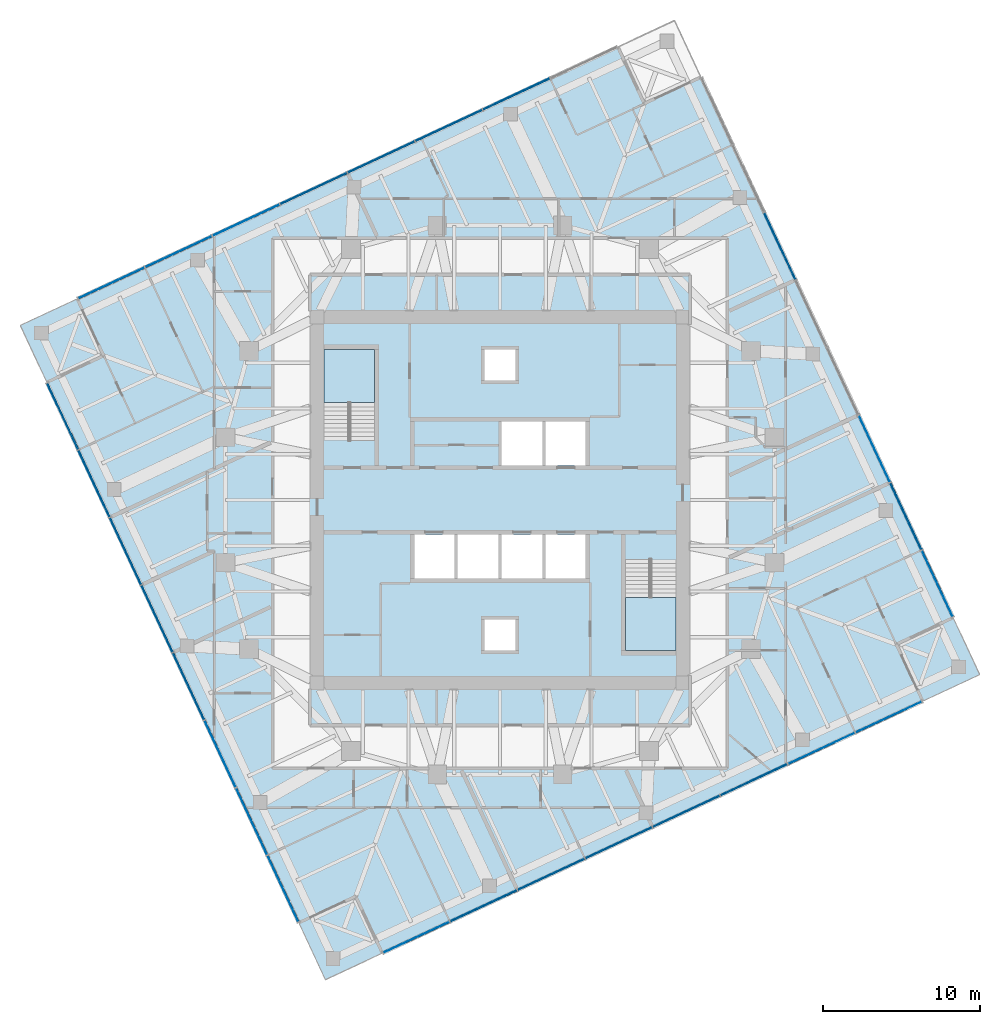
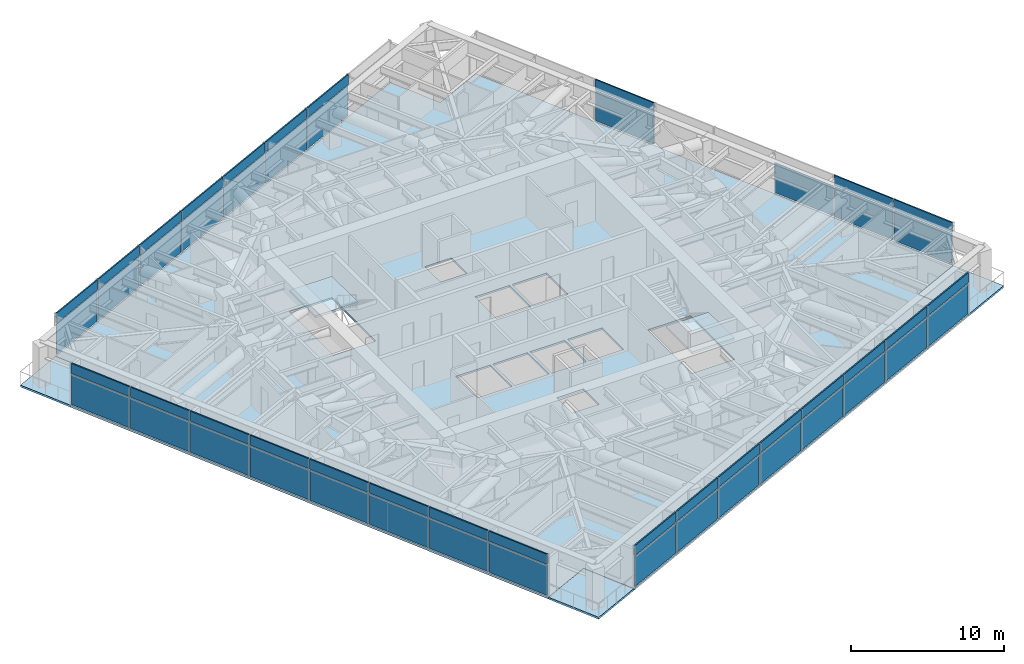
# One storey, part 8 of 16: 53 plates, 6 slabs, 6 elements without a shape of their own.
"""IFC4 building model written with IfcOpenShell, lengths in metres."""

from ifc_helpers import new_model, si_unit, direction, frame, origin, origin_2d, place, context, subcontext, project, spatial, polyline, rectangle, outline, extrude, material, layer, layer_set, type_object, element, aggregate, save


model = new_model("IFC4")

# Units and contexts
model_context = context("Model", 3, precision=1e-05, world=origin(), true_north=direction((0.0, 1.0)))
body_context = subcontext(model_context, "Body", "Model", "MODEL_VIEW")
ifc_project = project(units=[si_unit("LENGTHUNIT", "METRE"), si_unit("AREAUNIT", "SQUARE_METRE"), si_unit("VOLUMEUNIT", "CUBIC_METRE"), si_unit("PLANEANGLEUNIT", "RADIAN"), si_unit("MASSUNIT", "GRAM", prefix="KILO")], contexts=[model_context])

# Site, building, storey
site_placement = place(None, origin())
site = spatial("IfcSite", under=ifc_project, at=site_placement, CompositionType="ELEMENT")
building_placement = place(site_placement, origin())
building = spatial("IfcBuilding", under=site, at=building_placement, Name="Torsade Residences", CompositionType="ELEMENT")
storey_placement = place(building_placement, frame((0.0, 0.0, 199.800048828125)))
storey = spatial("IfcBuildingStorey", under=building, at=storey_placement, Name="L55", CompositionType="ELEMENT", Elevation=199.800048828125)

# Slab
ifc_material_1 = material(Name="Concrete 40 MPa", Category="concrete")
ifc_layer_1 = layer(ifc_material_1, 0.14990234375)
ifc_layer_set_1 = layer_set([ifc_layer_1], Name="Concrete 40 MPa")
slab_type_1 = type_object("IfcSlabType", Name="COMPOSITE FLOOR SLAB 150", PredefinedType="FLOOR", material=ifc_layer_set_1)
slab_1_placement = place(storey_placement, frame((0.0, 0.0, -0.150146484375)))
element("IfcSlab", 1, at=slab_1_placement, inside=storey, type_object=slab_type_1, Name="Floor slab L55", PredefinedType="FLOOR", context=body_context, shape_type="SweptSolid", body=[
    extrude(outline(polyline([(32.50048828125, 1.125244140625), (66.940185546875, 17.1845703125), (65.24951171875, 20.809814453125), (68.874755859375, 22.50048828125), (52.8154296875, 56.940185546875), (49.190185546875, 55.24951171875), (47.49951171875, 58.874755859375), (13.059814453125, 42.8154296875), (14.75048828125, 39.190185546875), (11.125244140625, 37.49951171875), (27.1845703125, 3.059814453125), (30.809814453125, 4.75048828125), (32.50048828125, 1.125244140625)]), holes=[polyline([(51.199951171875, 26.1201171875), (48.0, 26.1201171875), (48.0, 20.39990234375), (51.199951171875, 20.39990234375), (51.199951171875, 26.1201171875)]), polyline([(45.5, 27.800048828125), (42.89990234375, 27.800048828125), (42.89990234375, 25.0), (45.5, 25.0), (45.5, 27.800048828125)]), polyline([(45.5, 35.0), (42.89990234375, 35.0), (42.89990234375, 32.199951171875), (45.5, 32.199951171875), (45.5, 35.0)]), polyline([(42.699951171875, 25.0), (42.699951171875, 27.800048828125), (40.10009765625, 27.800048828125), (40.10009765625, 25.0), (42.699951171875, 25.0)]), polyline([(42.699951171875, 35.0), (40.10009765625, 35.0), (40.10009765625, 32.199951171875), (42.699951171875, 32.199951171875), (42.699951171875, 35.0)]), polyline([(41.0, 22.39990234375), (39.0, 22.39990234375), (39.0, 20.39990234375), (41.0, 20.39990234375), (41.0, 22.39990234375)]), polyline([(41.0, 37.60009765625), (41.0, 39.60009765625), (39.0, 39.60009765625), (39.0, 37.60009765625), (41.0, 37.60009765625)]), polyline([(39.89990234375, 25.0), (39.89990234375, 27.800048828125), (37.300048828125, 27.800048828125), (37.300048828125, 25.0), (39.89990234375, 25.0)]), polyline([(37.10009765625, 27.800048828125), (34.5, 27.800048828125), (34.5, 25.0), (37.10009765625, 25.0), (37.10009765625, 27.800048828125)]), polyline([(32.0, 33.8798828125), (32.0, 39.60009765625), (28.800048828125, 39.60009765625), (28.800048828125, 33.8798828125), (32.0, 33.8798828125)])]), origin(), (0.0, 0.0, 1.0), 0.150146484375),
])

# Curtain wall, plates
ifc_material_2 = material(Name="Aluminium and glass", Category="aluminium")
curtain_wall_type = type_object("IfcCurtainWallType", Name="FRITTED GLASS CURTAIN WALL MID ZONE", PredefinedType="NOTDEFINED", material=ifc_material_2)
curtain_wall_1_placement = place(storey_placement, origin())
curtain_wall_1 = element("IfcCurtainWall", 2, at=curtain_wall_1_placement, inside=storey, type_object=curtain_wall_type, Name="Curtain wall L55 face 1", PredefinedType="NOTDEFINED")
ifc_material_3 = material(Name="Laminated glass", Category="glass")
ifc_layer_2 = layer(ifc_material_3, 0.031982421875)
ifc_layer_set_2 = layer_set([ifc_layer_2], Name="Laminated glass")
plate_type_1 = type_object("IfcPlateType", Name="FRITTED GLASS PANEL", PredefinedType="CURTAIN_PANEL", material=ifc_layer_set_2)
plate_1_placement = place(storey_placement, frame((34.6708984375, 2.137451171875, 0.10986328125), z_axis=(0.0, 0.0, 1.0), x_axis=(0.906307786926, 0.422618261978, 0.0)))
plate_1 = element("IfcPlate", 3, at=plate_1_placement, type_object=plate_type_1, Name="Panel 1", PredefinedType="CURTAIN_PANEL", context=body_context, shape_type="SweptSolid", body=[
    extrude(rectangle(XDim=4.6298828125, YDim=0.031982421875, at=origin_2d()), origin(), (0.0, 0.0, 1.0), 2.389892578125),
])
plate_2_placement = place(storey_placement, frame((43.2626953125, 6.143798828125, 0.10986328125), z_axis=(0.0, 0.0, 1.0), x_axis=(0.906307786926, 0.422618261978, 0.0)))
plate_2 = element("IfcPlate", 4, at=plate_2_placement, type_object=plate_type_1, Name="Panel 3", PredefinedType="CURTAIN_PANEL", context=body_context, shape_type="SweptSolid", body=[
    extrude(rectangle(XDim=4.669921875, YDim=0.031982421875, at=origin_2d()), origin(), (0.0, 0.0, 1.0), 2.389892578125),
])
plate_3_placement = place(storey_placement, frame((47.567626953125, 8.151123046875, 0.10986328125), z_axis=(0.0, 0.0, 1.0), x_axis=(0.906307786926, 0.422618261978, 0.0)))
plate_3 = element("IfcPlate", 5, at=plate_3_placement, type_object=plate_type_1, Name="Panel 4", PredefinedType="CURTAIN_PANEL", context=body_context, shape_type="SweptSolid", body=[
    extrude(rectangle(XDim=4.669921875, YDim=0.031982421875, at=origin_2d()), origin(), (0.0, 0.0, 1.0), 2.389892578125),
])
plate_4_placement = place(storey_placement, frame((51.872802734375, 10.15869140625, 0.10986328125), z_axis=(0.0, 0.0, 1.0), x_axis=(0.906307786926, 0.422618261978, 0.0)))
plate_4 = element("IfcPlate", 6, at=plate_4_placement, type_object=plate_type_1, Name="Panel 5", PredefinedType="CURTAIN_PANEL", context=body_context, shape_type="SweptSolid", body=[
    extrude(rectangle(XDim=4.669921875, YDim=0.031982421875, at=origin_2d()), origin(), (0.0, 0.0, 1.0), 2.389892578125),
])
plate_5_placement = place(storey_placement, frame((60.482666015625, 14.173583984375, 0.10986328125), z_axis=(0.0, 0.0, 1.0), x_axis=(0.906307786926, 0.422618261978, 0.0)))
plate_5 = element("IfcPlate", 7, at=plate_5_placement, type_object=plate_type_1, Name="Panel 7", PredefinedType="CURTAIN_PANEL", context=body_context, shape_type="SweptSolid", body=[
    extrude(rectangle(XDim=4.669921875, YDim=0.031982421875, at=origin_2d()), origin(), (0.0, 0.0, 1.0), 2.389892578125),
])
plate_6_placement = place(storey_placement, frame((64.76953125, 16.172607421875, 0.10986328125), z_axis=(0.0, 0.0, 1.0), x_axis=(0.906307786926, 0.422618261978, 0.0)))
plate_6 = element("IfcPlate", 8, at=plate_6_placement, type_object=plate_type_1, Name="Panel 8", PredefinedType="CURTAIN_PANEL", context=body_context, shape_type="SweptSolid", body=[
    extrude(rectangle(XDim=4.6298828125, YDim=0.031982421875, at=origin_2d()), origin(), (0.0, 0.0, 1.0), 2.389892578125),
])

curtain_wall_2_placement = place(storey_placement, origin())
curtain_wall_2 = element("IfcCurtainWall", 9, at=curtain_wall_2_placement, inside=storey, type_object=curtain_wall_type, Name="Curtain wall L55 face 4", PredefinedType="NOTDEFINED")
plate_7_placement = place(storey_placement, frame((67.862548828125, 24.6708984375, 0.10986328125), z_axis=(0.0, 0.0, 1.0), x_axis=(-0.422618261978, 0.906307786926, 0.0)))
plate_7 = element("IfcPlate", 10, at=plate_7_placement, type_object=plate_type_1, Name="Panel 1", PredefinedType="CURTAIN_PANEL", context=body_context, shape_type="SweptSolid", body=[
    extrude(rectangle(XDim=4.6298828125, YDim=0.031982421875, at=origin_2d()), origin(), (0.0, 0.0, 1.0), 2.389892578125),
])
plate_8_placement = place(storey_placement, frame((63.856201171875, 33.2626953125, 0.10986328125), z_axis=(0.0, 0.0, 1.0), x_axis=(-0.422618261978, 0.906307786926, 0.0)))
plate_8 = element("IfcPlate", 11, at=plate_8_placement, type_object=plate_type_1, Name="Panel 3", PredefinedType="CURTAIN_PANEL", context=body_context, shape_type="SweptSolid", body=[
    extrude(rectangle(XDim=4.669921875, YDim=0.031982421875, at=origin_2d()), origin(), (0.0, 0.0, 1.0), 2.389892578125),
])

curtain_wall_3_placement = place(storey_placement, origin())
curtain_wall_3 = element("IfcCurtainWall", 12, at=curtain_wall_3_placement, inside=storey, type_object=curtain_wall_type, Name="Curtain wall L55 face 7", PredefinedType="NOTDEFINED")
plate_9_placement = place(storey_placement, frame((36.7373046875, 53.856201171875, 0.10986328125), z_axis=(0.0, 0.0, 1.0), x_axis=(-0.906307786926, -0.422618261978, 0.0)))
plate_9 = element("IfcPlate", 13, at=plate_9_placement, type_object=plate_type_1, Name="Panel 3", PredefinedType="CURTAIN_PANEL", context=body_context, shape_type="SweptSolid", body=[
    extrude(rectangle(XDim=4.669921875, YDim=0.031982421875, at=origin_2d()), origin(), (0.0, 0.0, 1.0), 2.389892578125),
])
plate_10_placement = place(storey_placement, frame((32.432373046875, 51.848876953125, 0.10986328125), z_axis=(0.0, 0.0, 1.0), x_axis=(-0.906307786926, -0.422618261978, 0.0)))
plate_10 = element("IfcPlate", 14, at=plate_10_placement, type_object=plate_type_1, Name="Panel 4", PredefinedType="CURTAIN_PANEL", context=body_context, shape_type="SweptSolid", body=[
    extrude(rectangle(XDim=4.669921875, YDim=0.031982421875, at=origin_2d()), origin(), (0.0, 0.0, 1.0), 2.389892578125),
])
plate_11_placement = place(storey_placement, frame((28.127197265625, 49.84130859375, 0.10986328125), z_axis=(0.0, 0.0, 1.0), x_axis=(-0.906307786926, -0.422618261978, 0.0)))
plate_11 = element("IfcPlate", 15, at=plate_11_placement, type_object=plate_type_1, Name="Panel 5", PredefinedType="CURTAIN_PANEL", context=body_context, shape_type="SweptSolid", body=[
    extrude(rectangle(XDim=4.669921875, YDim=0.031982421875, at=origin_2d()), origin(), (0.0, 0.0, 1.0), 2.389892578125),
])
plate_12_placement = place(storey_placement, frame((19.517333984375, 45.826416015625, 0.10986328125), z_axis=(0.0, 0.0, 1.0), x_axis=(-0.906307786926, -0.422618261978, 0.0)))
plate_12 = element("IfcPlate", 16, at=plate_12_placement, type_object=plate_type_1, Name="Panel 7", PredefinedType="CURTAIN_PANEL", context=body_context, shape_type="SweptSolid", body=[
    extrude(rectangle(XDim=4.669921875, YDim=0.031982421875, at=origin_2d()), origin(), (0.0, 0.0, 1.0), 2.389892578125),
])
plate_13_placement = place(storey_placement, frame((15.23046875, 43.827392578125, 0.10986328125), z_axis=(0.0, 0.0, 1.0), x_axis=(-0.906307786926, -0.422618261978, 0.0)))
plate_13 = element("IfcPlate", 17, at=plate_13_placement, type_object=plate_type_1, Name="Panel 8", PredefinedType="CURTAIN_PANEL", context=body_context, shape_type="SweptSolid", body=[
    extrude(rectangle(XDim=4.6298828125, YDim=0.031982421875, at=origin_2d()), origin(), (0.0, 0.0, 1.0), 2.389892578125),
])

curtain_wall_4_placement = place(storey_placement, origin())
curtain_wall_4 = element("IfcCurtainWall", 18, at=curtain_wall_4_placement, inside=storey, type_object=curtain_wall_type, Name="Curtain wall L55 face 10", PredefinedType="NOTDEFINED")
plate_14_placement = place(storey_placement, frame((12.137451171875, 35.3291015625, 0.10986328125), z_axis=(0.0, 0.0, 1.0), x_axis=(0.422618261978, -0.906307786926, 0.0)))
plate_14 = element("IfcPlate", 19, at=plate_14_placement, type_object=plate_type_1, Name="Panel 1", PredefinedType="CURTAIN_PANEL", context=body_context, shape_type="SweptSolid", body=[
    extrude(rectangle(XDim=4.6298828125, YDim=0.031982421875, at=origin_2d()), origin(), (0.0, 0.0, 1.0), 2.389892578125),
])
plate_15_placement = place(storey_placement, frame((16.143798828125, 26.7373046875, 0.10986328125), z_axis=(0.0, 0.0, 1.0), x_axis=(0.422618261978, -0.906307786926, 0.0)))
plate_15 = element("IfcPlate", 20, at=plate_15_placement, type_object=plate_type_1, Name="Panel 3", PredefinedType="CURTAIN_PANEL", context=body_context, shape_type="SweptSolid", body=[
    extrude(rectangle(XDim=4.669921875, YDim=0.031982421875, at=origin_2d()), origin(), (0.0, 0.0, 1.0), 2.389892578125),
])
plate_16_placement = place(storey_placement, frame((18.151123046875, 22.432373046875, 0.10986328125), z_axis=(0.0, 0.0, 1.0), x_axis=(0.422618261978, -0.906307786926, 0.0)))
plate_16 = element("IfcPlate", 21, at=plate_16_placement, type_object=plate_type_1, Name="Panel 4", PredefinedType="CURTAIN_PANEL", context=body_context, shape_type="SweptSolid", body=[
    extrude(rectangle(XDim=4.669921875, YDim=0.031982421875, at=origin_2d()), origin(), (0.0, 0.0, 1.0), 2.389892578125),
])
plate_17_placement = place(storey_placement, frame((20.15869140625, 18.127197265625, 0.10986328125), z_axis=(0.0, 0.0, 1.0), x_axis=(0.422618261978, -0.906307786926, 0.0)))
plate_17 = element("IfcPlate", 22, at=plate_17_placement, type_object=plate_type_1, Name="Panel 5", PredefinedType="CURTAIN_PANEL", context=body_context, shape_type="SweptSolid", body=[
    extrude(rectangle(XDim=4.669921875, YDim=0.031982421875, at=origin_2d()), origin(), (0.0, 0.0, 1.0), 2.389892578125),
])
plate_18_placement = place(storey_placement, frame((24.173583984375, 9.517333984375, 0.10986328125), z_axis=(0.0, 0.0, 1.0), x_axis=(0.422618261978, -0.906307786926, 0.0)))
plate_18 = element("IfcPlate", 23, at=plate_18_placement, type_object=plate_type_1, Name="Panel 7", PredefinedType="CURTAIN_PANEL", context=body_context, shape_type="SweptSolid", body=[
    extrude(rectangle(XDim=4.669921875, YDim=0.031982421875, at=origin_2d()), origin(), (0.0, 0.0, 1.0), 2.389892578125),
])
plate_19_placement = place(storey_placement, frame((26.172607421875, 5.23046875, 0.10986328125), z_axis=(0.0, 0.0, 1.0), x_axis=(0.422618261978, -0.906307786926, 0.0)))
plate_19 = element("IfcPlate", 24, at=plate_19_placement, type_object=plate_type_1, Name="Panel 8", PredefinedType="CURTAIN_PANEL", context=body_context, shape_type="SweptSolid", body=[
    extrude(rectangle(XDim=4.6298828125, YDim=0.031982421875, at=origin_2d()), origin(), (0.0, 0.0, 1.0), 2.389892578125),
])

# Plate
ifc_material_4 = material(Name="Aluminium composite spandrel panel", Category="aluminium")
ifc_layer_3 = layer(ifc_material_4, 0.10009765625)
ifc_layer_set_3 = layer_set([ifc_layer_3], Name="Aluminium composite spandrel panel")
plate_type_2 = type_object("IfcPlateType", Name="OPAQUE SPANDREL PANEL", PredefinedType="CURTAIN_PANEL", material=ifc_layer_set_3)
plate_20_placement = place(storey_placement, frame((34.6708984375, 2.137451171875, 2.60986328125), z_axis=(0.0, 0.0, 1.0), x_axis=(0.906307786926, 0.422618261978, 0.0)))
plate_20 = element("IfcPlate", 25, at=plate_20_placement, type_object=plate_type_2, Name="Spandrel panel 1", PredefinedType="CURTAIN_PANEL", context=body_context, shape_type="SweptSolid", body=[
    extrude(rectangle(XDim=4.6298828125, YDim=0.10009765625, at=origin_2d()), origin(), (0.0, 0.0, 1.0), 0.7900390625),
])

plate_21_placement = place(storey_placement, frame((38.957763671875, 4.13623046875, 2.60986328125), z_axis=(0.0, 0.0, 1.0), x_axis=(0.906307786926, 0.422618261978, 0.0)))
plate_21 = element("IfcPlate", 26, at=plate_21_placement, type_object=plate_type_2, Name="Spandrel panel 2", PredefinedType="CURTAIN_PANEL", context=body_context, shape_type="SweptSolid", body=[
    extrude(rectangle(XDim=4.669921875, YDim=0.10009765625, at=origin_2d()), origin(), (0.0, 0.0, 1.0), 0.7900390625),
])

plate_22_placement = place(storey_placement, frame((43.2626953125, 6.143798828125, 2.60986328125), z_axis=(0.0, 0.0, 1.0), x_axis=(0.906307786926, 0.422618261978, 0.0)))
plate_22 = element("IfcPlate", 27, at=plate_22_placement, type_object=plate_type_2, Name="Spandrel panel 3", PredefinedType="CURTAIN_PANEL", context=body_context, shape_type="SweptSolid", body=[
    extrude(rectangle(XDim=4.669921875, YDim=0.10009765625, at=origin_2d()), origin(), (0.0, 0.0, 1.0), 0.7900390625),
])

plate_23_placement = place(storey_placement, frame((47.567626953125, 8.151123046875, 2.60986328125), z_axis=(0.0, 0.0, 1.0), x_axis=(0.906307786926, 0.422618261978, 0.0)))
plate_23 = element("IfcPlate", 28, at=plate_23_placement, type_object=plate_type_2, Name="Spandrel panel 4", PredefinedType="CURTAIN_PANEL", context=body_context, shape_type="SweptSolid", body=[
    extrude(rectangle(XDim=4.669921875, YDim=0.10009765625, at=origin_2d()), origin(), (0.0, 0.0, 1.0), 0.7900390625),
])

plate_24_placement = place(storey_placement, frame((51.872802734375, 10.15869140625, 2.60986328125), z_axis=(0.0, 0.0, 1.0), x_axis=(0.906307786926, 0.422618261978, 0.0)))
plate_24 = element("IfcPlate", 29, at=plate_24_placement, type_object=plate_type_2, Name="Spandrel panel 5", PredefinedType="CURTAIN_PANEL", context=body_context, shape_type="SweptSolid", body=[
    extrude(rectangle(XDim=4.669921875, YDim=0.10009765625, at=origin_2d()), origin(), (0.0, 0.0, 1.0), 0.7900390625),
])

plate_25_placement = place(storey_placement, frame((56.177734375, 12.166015625, 2.60986328125), z_axis=(0.0, 0.0, 1.0), x_axis=(0.906307786926, 0.422618261978, 0.0)))
plate_25 = element("IfcPlate", 30, at=plate_25_placement, type_object=plate_type_2, Name="Spandrel panel 6", PredefinedType="CURTAIN_PANEL", context=body_context, shape_type="SweptSolid", body=[
    extrude(rectangle(XDim=4.669921875, YDim=0.10009765625, at=origin_2d()), origin(), (0.0, 0.0, 1.0), 0.7900390625),
])

plate_26_placement = place(storey_placement, frame((60.482666015625, 14.173583984375, 2.60986328125), z_axis=(0.0, 0.0, 1.0), x_axis=(0.906307786926, 0.422618261978, 0.0)))
plate_26 = element("IfcPlate", 31, at=plate_26_placement, type_object=plate_type_2, Name="Spandrel panel 7", PredefinedType="CURTAIN_PANEL", context=body_context, shape_type="SweptSolid", body=[
    extrude(rectangle(XDim=4.669921875, YDim=0.10009765625, at=origin_2d()), origin(), (0.0, 0.0, 1.0), 0.7900390625),
])

plate_27_placement = place(storey_placement, frame((64.76953125, 16.172607421875, 2.60986328125), z_axis=(0.0, 0.0, 1.0), x_axis=(0.906307786926, 0.422618261978, 0.0)))
plate_27 = element("IfcPlate", 32, at=plate_27_placement, type_object=plate_type_2, Name="Spandrel panel 8", PredefinedType="CURTAIN_PANEL", context=body_context, shape_type="SweptSolid", body=[
    extrude(rectangle(XDim=4.6298828125, YDim=0.10009765625, at=origin_2d()), origin(), (0.0, 0.0, 1.0), 0.7900390625),
])

plate_28_placement = place(storey_placement, frame((67.862548828125, 24.6708984375, 2.60986328125), z_axis=(0.0, 0.0, 1.0), x_axis=(-0.422618261978, 0.906307786926, 0.0)))
plate_28 = element("IfcPlate", 33, at=plate_28_placement, type_object=plate_type_2, Name="Spandrel panel 1", PredefinedType="CURTAIN_PANEL", context=body_context, shape_type="SweptSolid", body=[
    extrude(rectangle(XDim=4.6298828125, YDim=0.10009765625, at=origin_2d()), origin(), (0.0, 0.0, 1.0), 0.7900390625),
])

plate_29_placement = place(storey_placement, frame((65.86376953125, 28.957763671875, 2.60986328125), z_axis=(0.0, 0.0, 1.0), x_axis=(-0.422618261978, 0.906307786926, 0.0)))
plate_29 = element("IfcPlate", 34, at=plate_29_placement, type_object=plate_type_2, Name="Spandrel panel 2", PredefinedType="CURTAIN_PANEL", context=body_context, shape_type="SweptSolid", body=[
    extrude(rectangle(XDim=4.669921875, YDim=0.10009765625, at=origin_2d()), origin(), (0.0, 0.0, 1.0), 0.7900390625),
])

plate_30_placement = place(storey_placement, frame((57.833984375, 46.177734375, 2.60986328125), z_axis=(0.0, 0.0, 1.0), x_axis=(-0.422618261978, 0.906307786926, 0.0)))
plate_30 = element("IfcPlate", 35, at=plate_30_placement, type_object=plate_type_2, Name="Spandrel panel 6", PredefinedType="CURTAIN_PANEL", context=body_context, shape_type="SweptSolid", body=[
    extrude(rectangle(XDim=4.669921875, YDim=0.10009765625, at=origin_2d()), origin(), (0.0, 0.0, 1.0), 0.7900390625),
])

plate_31_placement = place(storey_placement, frame((41.042236328125, 55.86376953125, 2.60986328125), z_axis=(0.0, 0.0, 1.0), x_axis=(-0.906307786926, -0.422618261978, 0.0)))
plate_31 = element("IfcPlate", 36, at=plate_31_placement, type_object=plate_type_2, Name="Spandrel panel 2", PredefinedType="CURTAIN_PANEL", context=body_context, shape_type="SweptSolid", body=[
    extrude(rectangle(XDim=4.669921875, YDim=0.10009765625, at=origin_2d()), origin(), (0.0, 0.0, 1.0), 0.7900390625),
])

plate_32_placement = place(storey_placement, frame((36.7373046875, 53.856201171875, 2.60986328125), z_axis=(0.0, 0.0, 1.0), x_axis=(-0.906307786926, -0.422618261978, 0.0)))
plate_32 = element("IfcPlate", 37, at=plate_32_placement, type_object=plate_type_2, Name="Spandrel panel 3", PredefinedType="CURTAIN_PANEL", context=body_context, shape_type="SweptSolid", body=[
    extrude(rectangle(XDim=4.669921875, YDim=0.10009765625, at=origin_2d()), origin(), (0.0, 0.0, 1.0), 0.7900390625),
])

plate_33_placement = place(storey_placement, frame((32.432373046875, 51.848876953125, 2.60986328125), z_axis=(0.0, 0.0, 1.0), x_axis=(-0.906307786926, -0.422618261978, 0.0)))
plate_33 = element("IfcPlate", 38, at=plate_33_placement, type_object=plate_type_2, Name="Spandrel panel 4", PredefinedType="CURTAIN_PANEL", context=body_context, shape_type="SweptSolid", body=[
    extrude(rectangle(XDim=4.669921875, YDim=0.10009765625, at=origin_2d()), origin(), (0.0, 0.0, 1.0), 0.7900390625),
])

plate_34_placement = place(storey_placement, frame((28.127197265625, 49.84130859375, 2.60986328125), z_axis=(0.0, 0.0, 1.0), x_axis=(-0.906307786926, -0.422618261978, 0.0)))
plate_34 = element("IfcPlate", 39, at=plate_34_placement, type_object=plate_type_2, Name="Spandrel panel 5", PredefinedType="CURTAIN_PANEL", context=body_context, shape_type="SweptSolid", body=[
    extrude(rectangle(XDim=4.669921875, YDim=0.10009765625, at=origin_2d()), origin(), (0.0, 0.0, 1.0), 0.7900390625),
])

plate_35_placement = place(storey_placement, frame((23.822265625, 47.833984375, 2.60986328125), z_axis=(0.0, 0.0, 1.0), x_axis=(-0.906307786926, -0.422618261978, 0.0)))
plate_35 = element("IfcPlate", 40, at=plate_35_placement, type_object=plate_type_2, Name="Spandrel panel 6", PredefinedType="CURTAIN_PANEL", context=body_context, shape_type="SweptSolid", body=[
    extrude(rectangle(XDim=4.669921875, YDim=0.10009765625, at=origin_2d()), origin(), (0.0, 0.0, 1.0), 0.7900390625),
])

plate_36_placement = place(storey_placement, frame((19.517333984375, 45.826416015625, 2.60986328125), z_axis=(0.0, 0.0, 1.0), x_axis=(-0.906307786926, -0.422618261978, 0.0)))
plate_36 = element("IfcPlate", 41, at=plate_36_placement, type_object=plate_type_2, Name="Spandrel panel 7", PredefinedType="CURTAIN_PANEL", context=body_context, shape_type="SweptSolid", body=[
    extrude(rectangle(XDim=4.669921875, YDim=0.10009765625, at=origin_2d()), origin(), (0.0, 0.0, 1.0), 0.7900390625),
])

plate_37_placement = place(storey_placement, frame((15.23046875, 43.827392578125, 2.60986328125), z_axis=(0.0, 0.0, 1.0), x_axis=(-0.906307786926, -0.422618261978, 0.0)))
plate_37 = element("IfcPlate", 42, at=plate_37_placement, type_object=plate_type_2, Name="Spandrel panel 8", PredefinedType="CURTAIN_PANEL", context=body_context, shape_type="SweptSolid", body=[
    extrude(rectangle(XDim=4.6298828125, YDim=0.10009765625, at=origin_2d()), origin(), (0.0, 0.0, 1.0), 0.7900390625),
])

plate_38_placement = place(storey_placement, frame((12.137451171875, 35.3291015625, 2.60986328125), z_axis=(0.0, 0.0, 1.0), x_axis=(0.422618261978, -0.906307786926, 0.0)))
plate_38 = element("IfcPlate", 43, at=plate_38_placement, type_object=plate_type_2, Name="Spandrel panel 1", PredefinedType="CURTAIN_PANEL", context=body_context, shape_type="SweptSolid", body=[
    extrude(rectangle(XDim=4.6298828125, YDim=0.10009765625, at=origin_2d()), origin(), (0.0, 0.0, 1.0), 0.7900390625),
])

plate_39_placement = place(storey_placement, frame((14.13623046875, 31.042236328125, 2.60986328125), z_axis=(0.0, 0.0, 1.0), x_axis=(0.422618261978, -0.906307786926, 0.0)))
plate_39 = element("IfcPlate", 44, at=plate_39_placement, type_object=plate_type_2, Name="Spandrel panel 2", PredefinedType="CURTAIN_PANEL", context=body_context, shape_type="SweptSolid", body=[
    extrude(rectangle(XDim=4.669921875, YDim=0.10009765625, at=origin_2d()), origin(), (0.0, 0.0, 1.0), 0.7900390625),
])

plate_40_placement = place(storey_placement, frame((16.143798828125, 26.7373046875, 2.60986328125), z_axis=(0.0, 0.0, 1.0), x_axis=(0.422618261978, -0.906307786926, 0.0)))
plate_40 = element("IfcPlate", 45, at=plate_40_placement, type_object=plate_type_2, Name="Spandrel panel 3", PredefinedType="CURTAIN_PANEL", context=body_context, shape_type="SweptSolid", body=[
    extrude(rectangle(XDim=4.669921875, YDim=0.10009765625, at=origin_2d()), origin(), (0.0, 0.0, 1.0), 0.7900390625),
])

plate_41_placement = place(storey_placement, frame((18.151123046875, 22.432373046875, 2.60986328125), z_axis=(0.0, 0.0, 1.0), x_axis=(0.422618261978, -0.906307786926, 0.0)))
plate_41 = element("IfcPlate", 46, at=plate_41_placement, type_object=plate_type_2, Name="Spandrel panel 4", PredefinedType="CURTAIN_PANEL", context=body_context, shape_type="SweptSolid", body=[
    extrude(rectangle(XDim=4.669921875, YDim=0.10009765625, at=origin_2d()), origin(), (0.0, 0.0, 1.0), 0.7900390625),
])

plate_42_placement = place(storey_placement, frame((20.15869140625, 18.127197265625, 2.60986328125), z_axis=(0.0, 0.0, 1.0), x_axis=(0.422618261978, -0.906307786926, 0.0)))
plate_42 = element("IfcPlate", 47, at=plate_42_placement, type_object=plate_type_2, Name="Spandrel panel 5", PredefinedType="CURTAIN_PANEL", context=body_context, shape_type="SweptSolid", body=[
    extrude(rectangle(XDim=4.669921875, YDim=0.10009765625, at=origin_2d()), origin(), (0.0, 0.0, 1.0), 0.7900390625),
])

plate_43_placement = place(storey_placement, frame((22.166015625, 13.822265625, 2.60986328125), z_axis=(0.0, 0.0, 1.0), x_axis=(0.422618261978, -0.906307786926, 0.0)))
plate_43 = element("IfcPlate", 48, at=plate_43_placement, type_object=plate_type_2, Name="Spandrel panel 6", PredefinedType="CURTAIN_PANEL", context=body_context, shape_type="SweptSolid", body=[
    extrude(rectangle(XDim=4.669921875, YDim=0.10009765625, at=origin_2d()), origin(), (0.0, 0.0, 1.0), 0.7900390625),
])

plate_44_placement = place(storey_placement, frame((24.173583984375, 9.517333984375, 2.60986328125), z_axis=(0.0, 0.0, 1.0), x_axis=(0.422618261978, -0.906307786926, 0.0)))
plate_44 = element("IfcPlate", 49, at=plate_44_placement, type_object=plate_type_2, Name="Spandrel panel 7", PredefinedType="CURTAIN_PANEL", context=body_context, shape_type="SweptSolid", body=[
    extrude(rectangle(XDim=4.669921875, YDim=0.10009765625, at=origin_2d()), origin(), (0.0, 0.0, 1.0), 0.7900390625),
])

plate_45_placement = place(storey_placement, frame((26.172607421875, 5.23046875, 2.60986328125), z_axis=(0.0, 0.0, 1.0), x_axis=(0.422618261978, -0.906307786926, 0.0)))
plate_45 = element("IfcPlate", 50, at=plate_45_placement, type_object=plate_type_2, Name="Spandrel panel 8", PredefinedType="CURTAIN_PANEL", context=body_context, shape_type="SweptSolid", body=[
    extrude(rectangle(XDim=4.6298828125, YDim=0.10009765625, at=origin_2d()), origin(), (0.0, 0.0, 1.0), 0.7900390625),
])

ifc_material_5 = material(Name="Laminated glass", Category="glass")
ifc_layer_4 = layer(ifc_material_5, 0.0400390625)
ifc_layer_set_4 = layer_set([ifc_layer_4], Name="Laminated glass")
plate_type_3 = type_object("IfcPlateType", Name="OPERABLE VENT PANEL", PredefinedType="CURTAIN_PANEL", material=ifc_layer_set_4)
plate_46_placement = place(storey_placement, frame((38.957763671875, 4.13623046875, 0.10986328125), z_axis=(0.0, 0.0, 1.0), x_axis=(0.906307786926, 0.422618261978, 0.0)))
plate_46 = element("IfcPlate", 51, at=plate_46_placement, type_object=plate_type_3, Name="Panel 2", PredefinedType="CURTAIN_PANEL", context=body_context, shape_type="SweptSolid", body=[
    extrude(rectangle(XDim=4.669921875, YDim=0.0400390625, at=origin_2d()), origin(), (0.0, 0.0, 1.0), 2.389892578125),
])

plate_47_placement = place(storey_placement, frame((56.177734375, 12.166015625, 0.10986328125), z_axis=(0.0, 0.0, 1.0), x_axis=(0.906307786926, 0.422618261978, 0.0)))
plate_47 = element("IfcPlate", 52, at=plate_47_placement, type_object=plate_type_3, Name="Panel 6", PredefinedType="CURTAIN_PANEL", context=body_context, shape_type="SweptSolid", body=[
    extrude(rectangle(XDim=4.669921875, YDim=0.0400390625, at=origin_2d()), origin(), (0.0, 0.0, 1.0), 2.389892578125),
])

aggregate(curtain_wall_1, [plate_1, plate_20, plate_46, plate_21, plate_2, plate_22, plate_3, plate_23, plate_4, plate_24, plate_47, plate_25, plate_5, plate_26, plate_6, plate_27])

plate_48_placement = place(storey_placement, frame((65.86376953125, 28.957763671875, 0.10986328125), z_axis=(0.0, 0.0, 1.0), x_axis=(-0.422618261978, 0.906307786926, 0.0)))
plate_48 = element("IfcPlate", 53, at=plate_48_placement, type_object=plate_type_3, Name="Panel 2", PredefinedType="CURTAIN_PANEL", context=body_context, shape_type="SweptSolid", body=[
    extrude(rectangle(XDim=4.669921875, YDim=0.0400390625, at=origin_2d()), origin(), (0.0, 0.0, 1.0), 2.389892578125),
])

plate_49_placement = place(storey_placement, frame((57.833984375, 46.177734375, 0.10986328125), z_axis=(0.0, 0.0, 1.0), x_axis=(-0.422618261978, 0.906307786926, 0.0)))
plate_49 = element("IfcPlate", 54, at=plate_49_placement, type_object=plate_type_3, Name="Panel 6", PredefinedType="CURTAIN_PANEL", context=body_context, shape_type="SweptSolid", body=[
    extrude(rectangle(XDim=4.669921875, YDim=0.0400390625, at=origin_2d()), origin(), (0.0, 0.0, 1.0), 2.389892578125),
])

aggregate(curtain_wall_2, [plate_7, plate_28, plate_48, plate_29, plate_8, plate_49, plate_30])

plate_50_placement = place(storey_placement, frame((41.042236328125, 55.86376953125, 0.10986328125), z_axis=(0.0, 0.0, 1.0), x_axis=(-0.906307786926, -0.422618261978, 0.0)))
plate_50 = element("IfcPlate", 55, at=plate_50_placement, type_object=plate_type_3, Name="Panel 2", PredefinedType="CURTAIN_PANEL", context=body_context, shape_type="SweptSolid", body=[
    extrude(rectangle(XDim=4.669921875, YDim=0.0400390625, at=origin_2d()), origin(), (0.0, 0.0, 1.0), 2.389892578125),
])

plate_51_placement = place(storey_placement, frame((23.822265625, 47.833984375, 0.10986328125), z_axis=(0.0, 0.0, 1.0), x_axis=(-0.906307786926, -0.422618261978, 0.0)))
plate_51 = element("IfcPlate", 56, at=plate_51_placement, type_object=plate_type_3, Name="Panel 6", PredefinedType="CURTAIN_PANEL", context=body_context, shape_type="SweptSolid", body=[
    extrude(rectangle(XDim=4.669921875, YDim=0.0400390625, at=origin_2d()), origin(), (0.0, 0.0, 1.0), 2.389892578125),
])

aggregate(curtain_wall_3, [plate_50, plate_31, plate_9, plate_32, plate_10, plate_33, plate_11, plate_34, plate_51, plate_35, plate_12, plate_36, plate_13, plate_37])

plate_52_placement = place(storey_placement, frame((14.13623046875, 31.042236328125, 0.10986328125), z_axis=(0.0, 0.0, 1.0), x_axis=(0.422618261978, -0.906307786926, 0.0)))
plate_52 = element("IfcPlate", 57, at=plate_52_placement, type_object=plate_type_3, Name="Panel 2", PredefinedType="CURTAIN_PANEL", context=body_context, shape_type="SweptSolid", body=[
    extrude(rectangle(XDim=4.669921875, YDim=0.0400390625, at=origin_2d()), origin(), (0.0, 0.0, 1.0), 2.389892578125),
])

plate_53_placement = place(storey_placement, frame((22.166015625, 13.822265625, 0.10986328125), z_axis=(0.0, 0.0, 1.0), x_axis=(0.422618261978, -0.906307786926, 0.0)))
plate_53 = element("IfcPlate", 58, at=plate_53_placement, type_object=plate_type_3, Name="Panel 6", PredefinedType="CURTAIN_PANEL", context=body_context, shape_type="SweptSolid", body=[
    extrude(rectangle(XDim=4.669921875, YDim=0.0400390625, at=origin_2d()), origin(), (0.0, 0.0, 1.0), 2.389892578125),
])

aggregate(curtain_wall_4, [plate_14, plate_38, plate_52, plate_39, plate_15, plate_40, plate_16, plate_41, plate_17, plate_42, plate_53, plate_43, plate_18, plate_44, plate_19, plate_45])

# Stair, slab
ifc_material_6 = material(Name="Precast concrete 40 MPa", Category="concrete")
stair_type = type_object("IfcStairType", Name="HALF-TURN FIRE STAIR 1500x3400", PredefinedType="HALF_TURN_STAIR", material=ifc_material_6)
stair_1_placement = place(storey_placement, origin())
stair_1 = element("IfcStair", 59, at=stair_1_placement, inside=storey, type_object=stair_type, Name="Stair ST1 L55", PredefinedType="HALF_TURN_STAIR")
ifc_material_7 = material(Name="Precast concrete 40 MPa", Category="concrete")
ifc_layer_5 = layer(ifc_material_7, 0.179931640625)
ifc_layer_set_5 = layer_set([ifc_layer_5], Name="Precast concrete 40 MPa")
slab_type_2 = type_object("IfcSlabType", Name="PRECAST STAIR LANDING 180", PredefinedType="LANDING", material=ifc_layer_set_5)
slab_2_placement = place(storey_placement, frame((0.0, 0.0, 1.52001953125)))
slab_2 = element("IfcSlab", 60, at=slab_2_placement, type_object=slab_type_2, Name="ST1 landing 1", PredefinedType="LANDING", context=body_context, shape_type="SweptSolid", body=[
    extrude(outline(polyline([(28.800048828125, 36.2099609375), (32.0, 36.2099609375), (32.0, 39.60009765625), (28.800048828125, 39.60009765625), (28.800048828125, 36.2099609375)])), origin(), (0.0, 0.0, 1.0), 0.179931640625),
])
aggregate(stair_1, [slab_2])

stair_2_placement = place(storey_placement, origin())
stair_2 = element("IfcStair", 61, at=stair_2_placement, inside=storey, type_object=stair_type, Name="Stair ST2 L55", PredefinedType="HALF_TURN_STAIR")
slab_3_placement = place(storey_placement, frame((0.0, 0.0, 1.52001953125)))
slab_3 = element("IfcSlab", 62, at=slab_3_placement, type_object=slab_type_2, Name="ST2 landing 1", PredefinedType="LANDING", context=body_context, shape_type="SweptSolid", body=[
    extrude(outline(polyline([(48.0, 20.39990234375), (51.199951171875, 20.39990234375), (51.199951171875, 23.7900390625), (48.0, 23.7900390625), (48.0, 20.39990234375)])), origin(), (0.0, 0.0, 1.0), 0.179931640625),
])
aggregate(stair_2, [slab_3])

# Slabs
ifc_material_8 = material(Name="Concrete 40 MPa", Category="concrete")
ifc_layer_6 = layer(ifc_material_8, 0.14990234375)
ifc_layer_set_6 = layer_set([ifc_layer_6], Name="Concrete 40 MPa")
slab_type_3 = type_object("IfcSlabType", Name="TERRACE SLAB 150", PredefinedType="FLOOR", material=ifc_layer_set_6)
slab_4_placement = place(storey_placement, frame((0.0, 0.0, -0.150146484375)))
element("IfcSlab", 63, at=slab_4_placement, inside=storey, type_object=slab_type_3, Name="Corner terrace slab SE L55", PredefinedType="FLOOR", context=body_context, shape_type="SweptSolid", body=[
    extrude(outline(polyline([(66.940185546875, 17.1845703125), (70.565185546875, 18.875244140625), (68.874755859375, 22.50048828125), (65.24951171875, 20.809814453125), (66.940185546875, 17.1845703125)])), origin(), (0.0, 0.0, 1.0), 0.150146484375),
])
slab_5_placement = place(storey_placement, frame((0.0, 0.0, -0.150146484375)))
element("IfcSlab", 64, at=slab_5_placement, inside=storey, type_object=slab_type_3, Name="Corner terrace slab NW L55", PredefinedType="FLOOR", context=body_context, shape_type="SweptSolid", body=[
    extrude(outline(polyline([(11.125244140625, 37.49951171875), (14.75048828125, 39.190185546875), (13.059814453125, 42.8154296875), (9.434814453125, 41.124755859375), (11.125244140625, 37.49951171875)])), origin(), (0.0, 0.0, 1.0), 0.150146484375),
])
slab_6_placement = place(storey_placement, frame((0.0, 0.0, -0.150146484375)))
element("IfcSlab", 65, at=slab_6_placement, inside=storey, type_object=slab_type_3, Name="Corner terrace slab SW L55", PredefinedType="FLOOR", context=body_context, shape_type="SweptSolid", body=[
    extrude(outline(polyline([(28.875244140625, -0.565185546875), (32.50048828125, 1.125244140625), (30.809814453125, 4.75048828125), (27.1845703125, 3.059814453125), (28.875244140625, -0.565185546875)])), origin(), (0.0, 0.0, 1.0), 0.150146484375),
])

save(model, "model.ifc")
